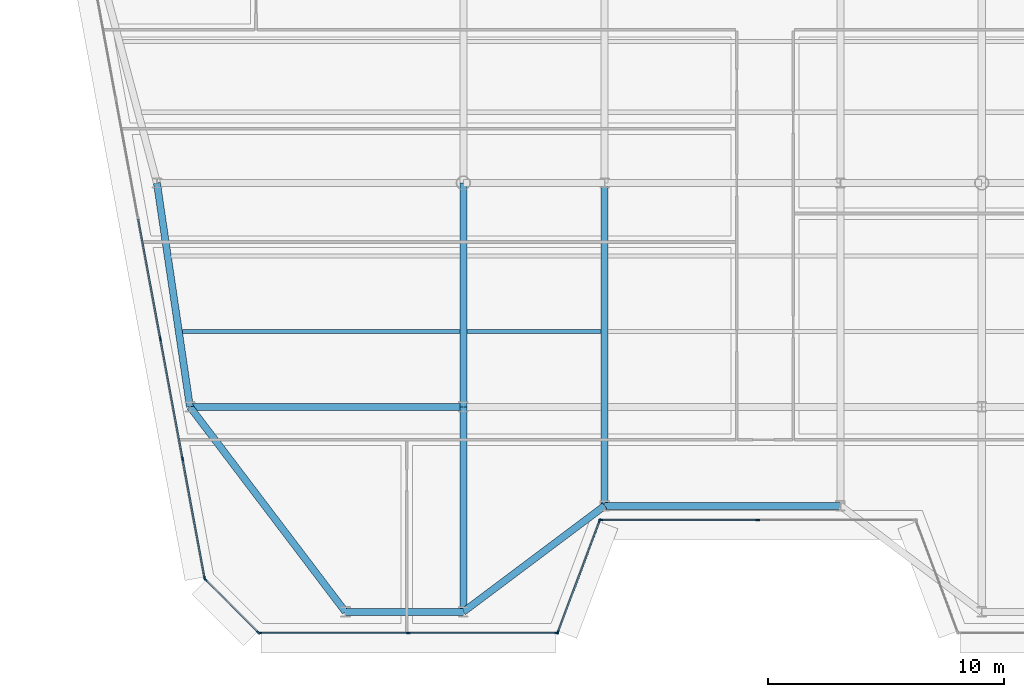
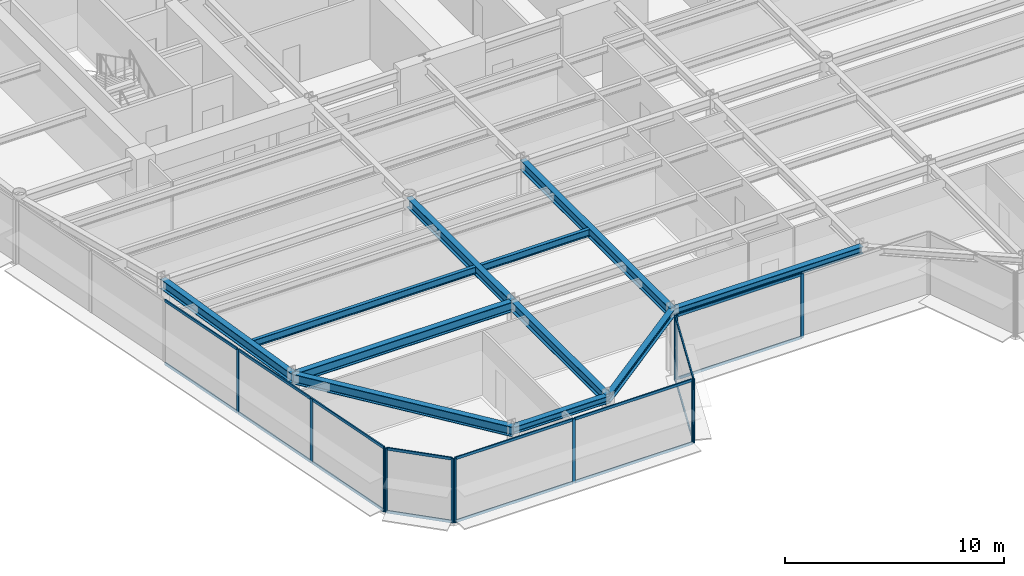
# One storey, part 2 of 17: 28 members, 11 beams, 5 elements without a shape of their own.
"""IFC4 building model written with IfcOpenShell, lengths in metres."""

from ifc_helpers import new_model, si_unit, direction, frame, origin, origin_2d, place, context, subcontext, project, spatial, rectangle, i_section, extrude, source, transform, mapped, material, layer, layer_set, material_profile, profile_set, type_object, element, aggregate, save


model = new_model("IFC4")

# Units and contexts
model_context = context("Model", 3, precision=1e-05, world=origin(), true_north=direction((0.0, 1.0)))
body_context = subcontext(model_context, "Body", "Model", "MODEL_VIEW")
ifc_project = project(units=[si_unit("LENGTHUNIT", "METRE"), si_unit("AREAUNIT", "SQUARE_METRE"), si_unit("VOLUMEUNIT", "CUBIC_METRE"), si_unit("PLANEANGLEUNIT", "RADIAN"), si_unit("MASSUNIT", "GRAM", prefix="KILO")], contexts=[model_context])

# Site, building, storey
site_placement = place(None, origin())
site = spatial("IfcSite", under=ifc_project, at=site_placement, CompositionType="ELEMENT")
building_placement = place(site_placement, origin())
building = spatial("IfcBuilding", under=site, at=building_placement, Name="Vaeldorn Concourse Tower", CompositionType="ELEMENT")
storey_placement = place(building_placement, frame((0.0, 0.0, 230.800048828125)))
storey = spatial("IfcBuildingStorey", under=building, at=storey_placement, Name="L59", CompositionType="ELEMENT", Elevation=230.800048828125)

# Beams
ifc_material_1 = material(Name="Steel S355", Category="steel")
ifc_material_profile_1 = material_profile(ifc_material_1, i_section(OverallWidth=0.300048828125, OverallDepth=0.39990234375, WebThickness=0.013427734375, FlangeThickness=0.02392578125, FilletRadius=0.027099609375, at=origin_2d()), Name="HEB 400")
ifc_profile_set_1 = profile_set([ifc_material_profile_1], Name="Steel S355")
beam_type_1 = type_object("IfcBeamType", Name="BM-SP-HEB400", PredefinedType="SPANDREL", material=ifc_profile_set_1)
shared_shape_1 = source(origin(), body_context, "Body", "SweptSolid", [
    extrude(i_section(OverallWidth=0.300048828125, OverallDepth=0.39990234375, WebThickness=0.013427734375, FlangeThickness=0.02392578125, FilletRadius=0.027099609375, at=origin_2d()), origin(), (0.0, 0.0, 1.0), 5.0),
])
beam_1_placement = place(storey_placement, frame((18.0, 9.300048828125, 3.3798828125), z_axis=(1.0, 0.0, 0.0), x_axis=(0.0, 1.0, 0.0)))
element("IfcBeam", 1, at=beam_1_placement, inside=storey, type_object=beam_type_1, Name="Beam BM-L59-C-SF1-C-SF2", PredefinedType="SPANDREL", context=body_context, shape_type="MappedRepresentation", body=[
    mapped(shared_shape_1, transform((0.0, 0.0, 0.0), scale=1.0)),
])
shared_shape_2 = source(origin(), body_context, "Body", "SweptSolid", [
    extrude(i_section(OverallWidth=0.300048828125, OverallDepth=0.39990234375, WebThickness=0.013427734375, FlangeThickness=0.02392578125, FilletRadius=0.027099609375, at=origin_2d()), origin(), (0.0, 0.0, 1.0), 7.5),
])
beam_2_placement = place(storey_placement, frame((23.0, 9.300048828125, 3.3798828125), z_axis=(0.8, 0.6, 0.0), x_axis=(-0.6, 0.8, 0.0)))
element("IfcBeam", 2, at=beam_2_placement, inside=storey, type_object=beam_type_1, Name="Beam BM-L59-C-SF2-C-SF3", PredefinedType="SPANDREL", context=body_context, shape_type="MappedRepresentation", body=[
    mapped(shared_shape_2, transform((0.0, 0.0, 0.0), scale=1.0)),
])
shared_shape_3 = source(origin(), body_context, "Body", "SweptSolid", [
    extrude(i_section(OverallWidth=0.300048828125, OverallDepth=0.39990234375, WebThickness=0.013427734375, FlangeThickness=0.02392578125, FilletRadius=0.027099609375, at=origin_2d()), origin(), (0.0, 0.0, 1.0), 10.0),
])
beam_3_placement = place(storey_placement, frame((29.0, 13.800048828125, 3.3798828125), z_axis=(1.0, 0.0, 0.0), x_axis=(0.0, 1.0, 0.0)))
element("IfcBeam", 3, at=beam_3_placement, inside=storey, type_object=beam_type_1, Name="Beam BM-L59-C-SF3-C-SF4", PredefinedType="SPANDREL", context=body_context, shape_type="MappedRepresentation", body=[
    mapped(shared_shape_3, transform((0.0, 0.0, 0.0), scale=1.0)),
])
ifc_material_profile_2 = material_profile(ifc_material_1, i_section(OverallWidth=0.179931640625, OverallDepth=0.39990234375, WebThickness=0.008544921875, FlangeThickness=0.013427734375, FilletRadius=0.02099609375, at=origin_2d()), Name="IPE 400")
ifc_profile_set_2 = profile_set([ifc_material_profile_2], Name="Steel S355")
beam_type_2 = type_object("IfcBeamType", Name="BM-JS-IPE400", PredefinedType="JOIST", material=ifc_profile_set_2)
shared_shape_4 = source(origin(), body_context, "Body", "SweptSolid", [
    extrude(i_section(OverallWidth=0.179931640625, OverallDepth=0.39990234375, WebThickness=0.008544921875, FlangeThickness=0.013427734375, FilletRadius=0.02099609375, at=origin_2d()), origin(), (0.0, 0.0, 1.0), 5.7001953125),
])
beam_4_placement = place(storey_placement, frame((23.14990234375, 21.199951171875, 3.3798828125), z_axis=(1.0, 0.0, 0.0), x_axis=(0.0, 1.0, 0.0)))
element("IfcBeam", 4, at=beam_4_placement, inside=storey, type_object=beam_type_2, Name="Beam JS-L59-W2-212", PredefinedType="JOIST", context=body_context, shape_type="MappedRepresentation", body=[
    mapped(shared_shape_4, transform((0.0, 0.0, 0.0), scale=1.0)),
])
shared_shape_5 = source(origin(), body_context, "Body", "SweptSolid", [
    extrude(i_section(OverallWidth=0.179931640625, OverallDepth=0.39990234375, WebThickness=0.008544921875, FlangeThickness=0.013427734375, FilletRadius=0.02099609375, at=origin_2d()), origin(), (0.0, 0.0, 1.0), 11.771728515625),
])
beam_5_placement = place(storey_placement, frame((11.078369140625, 21.199951171875, 3.3798828125), z_axis=(1.0, 0.0, 0.0), x_axis=(0.0, 1.0, 0.0)))
element("IfcBeam", 5, at=beam_5_placement, inside=storey, type_object=beam_type_2, Name="Beam JS-L59-W1-212", PredefinedType="JOIST", context=body_context, shape_type="MappedRepresentation", body=[
    mapped(shared_shape_5, transform((0.0, 0.0, 0.0), scale=1.0)),
])
ifc_material_profile_3 = material_profile(ifc_material_1, i_section(OverallWidth=0.300048828125, OverallDepth=0.550048828125, WebThickness=0.014892578125, FlangeThickness=0.029052734375, FilletRadius=0.027099609375, at=origin_2d()), Name="HEB 550")
ifc_profile_set_3 = profile_set([ifc_material_profile_3], Name="Steel S355")
beam_type_3 = type_object("IfcBeamType", Name="BM-PG-HEB550", PredefinedType="BEAM", material=ifc_profile_set_3)
shared_shape_6 = source(origin(), body_context, "Body", "SweptSolid", [
    extrude(i_section(OverallWidth=0.300048828125, OverallDepth=0.550048828125, WebThickness=0.014892578125, FlangeThickness=0.029052734375, FilletRadius=0.027099609375, at=origin_2d()), origin(), (0.0, 0.0, 1.0), 9.6025390625),
])
beam_6_placement = place(storey_placement, frame((10.0, 27.5, 3.304931640625), z_axis=(0.145783835977, -0.989316467652, 0.0), x_axis=(0.989316467652, 0.145783835977, 0.0)))
element("IfcBeam", 6, at=beam_6_placement, inside=storey, type_object=beam_type_3, Name="Beam BM-L59-C-FLW1-C-FLW2", PredefinedType="BEAM", context=body_context, shape_type="MappedRepresentation", body=[
    mapped(shared_shape_6, transform((0.0, 0.0, 0.0), scale=1.0)),
])
shared_shape_7 = source(origin(), body_context, "Body", "SweptSolid", [
    extrude(i_section(OverallWidth=0.300048828125, OverallDepth=0.550048828125, WebThickness=0.014892578125, FlangeThickness=0.029052734375, FilletRadius=0.027099609375, at=origin_2d()), origin(), (0.0, 0.0, 1.0), 11.60009765625),
])
beam_7_placement = place(storey_placement, frame((11.39990234375, 18.0, 3.304931640625), z_axis=(1.0, 0.0, 0.0), x_axis=(0.0, 1.0, 0.0)))
element("IfcBeam", 7, at=beam_7_placement, inside=storey, type_object=beam_type_3, Name="Beam BM-L59-C-FLW2-C-TW5", PredefinedType="BEAM", context=body_context, shape_type="MappedRepresentation", body=[
    mapped(shared_shape_7, transform((0.0, 0.0, 0.0), scale=1.0)),
])
shared_shape_8 = source(origin(), body_context, "Body", "SweptSolid", [
    extrude(i_section(OverallWidth=0.300048828125, OverallDepth=0.550048828125, WebThickness=0.014892578125, FlangeThickness=0.029052734375, FilletRadius=0.027099609375, at=origin_2d()), origin(), (0.0, 0.0, 1.0), 9.5),
])
beam_8_placement = place(storey_placement, frame((23.0, 18.0, 3.304931640625), z_axis=(0.0, 1.0, 0.0), x_axis=(-1.0, 0.0, 0.0)))
element("IfcBeam", 8, at=beam_8_placement, inside=storey, type_object=beam_type_3, Name="Beam BM-L59-C-TW5-C-TW1", PredefinedType="BEAM", context=body_context, shape_type="MappedRepresentation", body=[
    mapped(shared_shape_8, transform((0.0, 0.0, 0.0), scale=1.0)),
])
shared_shape_9 = source(origin(), body_context, "Body", "SweptSolid", [
    extrude(i_section(OverallWidth=0.300048828125, OverallDepth=0.550048828125, WebThickness=0.014892578125, FlangeThickness=0.029052734375, FilletRadius=0.027099609375, at=origin_2d()), origin(), (0.0, 0.0, 1.0), 10.920166015625),
])
beam_9_placement = place(storey_placement, frame((18.0, 9.300048828125, 3.304931640625), z_axis=(-0.604394310451, 0.796685331542, 0.0), x_axis=(-0.796685331542, -0.604394310451, 0.0)))
element("IfcBeam", 9, at=beam_9_placement, inside=storey, type_object=beam_type_3, Name="Beam BM-L59-C-SF1-C-FLW2", PredefinedType="BEAM", context=body_context, shape_type="MappedRepresentation", body=[
    mapped(shared_shape_9, transform((0.0, 0.0, 0.0), scale=1.0)),
])
shared_shape_10 = source(origin(), body_context, "Body", "SweptSolid", [
    extrude(i_section(OverallWidth=0.300048828125, OverallDepth=0.550048828125, WebThickness=0.014892578125, FlangeThickness=0.029052734375, FilletRadius=0.027099609375, at=origin_2d()), origin(), (0.0, 0.0, 1.0), 8.699951171875),
])
beam_10_placement = place(storey_placement, frame((23.0, 9.300048828125, 3.304931640625), z_axis=(0.0, 1.0, 0.0), x_axis=(-1.0, 0.0, 0.0)))
element("IfcBeam", 10, at=beam_10_placement, inside=storey, type_object=beam_type_3, Name="Beam BM-L59-C-SF2-C-TW5", PredefinedType="BEAM", context=body_context, shape_type="MappedRepresentation", body=[
    mapped(shared_shape_10, transform((0.0, 0.0, 0.0), scale=1.0)),
])
shared_shape_11 = source(origin(), body_context, "Body", "SweptSolid", [
    extrude(i_section(OverallWidth=0.300048828125, OverallDepth=0.550048828125, WebThickness=0.014892578125, FlangeThickness=0.029052734375, FilletRadius=0.027099609375, at=origin_2d()), origin(), (0.0, 0.0, 1.0), 13.699951171875),
])
beam_11_placement = place(storey_placement, frame((29.0, 13.800048828125, 3.304931640625), z_axis=(0.0, 1.0, 0.0), x_axis=(-1.0, 0.0, 0.0)))
element("IfcBeam", 11, at=beam_11_placement, inside=storey, type_object=beam_type_3, Name="Beam BM-L59-C-SF3-C-TW2", PredefinedType="BEAM", context=body_context, shape_type="MappedRepresentation", body=[
    mapped(shared_shape_11, transform((0.0, 0.0, 0.0), scale=1.0)),
])

# Curtain wall, members
ifc_material_2 = material(Name="Anodised Bronze Aluminium", Category="aluminium")
ifc_layer = layer(ifc_material_2, 0.179931640625)
ifc_layer_set = layer_set([ifc_layer], Name="Anodised Bronze Aluminium")
curtain_wall_type = type_object("IfcCurtainWallType", Name="CW-SYS-05", PredefinedType="NOTDEFINED", material=ifc_layer_set)
curtain_wall_1_placement = place(storey_placement, origin())
curtain_wall_1 = element("IfcCurtainWall", 12, at=curtain_wall_1_placement, inside=storey, type_object=curtain_wall_type, Name="Unitised Curtain Wall CW-L59-E01-1", PredefinedType="NOTDEFINED")
ifc_material_profile_4 = material_profile(ifc_material_2, rectangle(XDim=0.06494140625, YDim=0.169921875, at=origin_2d()), Name="CWM 65x170")
ifc_profile_set_4 = profile_set([ifc_material_profile_4], Name="Anodised Bronze Aluminium")
member_type_1 = type_object("IfcMemberType", Name="CWM-BRONZE-170", PredefinedType="MULLION", material=ifc_profile_set_4)
shared_shape_12 = source(origin(), body_context, "Body", "SweptSolid", [
    extrude(rectangle(XDim=0.06494140625, YDim=0.169921875, at=origin_2d()), origin(), (0.0, 0.0, 1.0), 3.579833984375),
])
member_1_placement = place(storey_placement, frame((14.361572265625, 8.39990234375, 0.0), z_axis=(0.0, 0.0, 1.0), x_axis=(0.0, 1.0, 0.0)))
member_1 = element("IfcMember", 13, at=member_1_placement, type_object=member_type_1, Name="CW-05 mullion 1", PredefinedType="MULLION", context=body_context, shape_type="MappedRepresentation", body=[
    mapped(shared_shape_12, transform((0.0, 0.0, 0.0), scale=1.0)),
])
member_2_placement = place(storey_placement, frame((20.66455078125, 8.39990234375, 0.0), z_axis=(0.0, 0.0, 1.0), x_axis=(0.0, 1.0, 0.0)))
member_2 = element("IfcMember", 14, at=member_2_placement, type_object=member_type_1, Name="CW-05 mullion 2", PredefinedType="MULLION", context=body_context, shape_type="MappedRepresentation", body=[
    mapped(shared_shape_12, transform((0.0, 0.0, 0.0), scale=1.0)),
])
member_3_placement = place(storey_placement, frame((26.967529296875, 8.39990234375, 0.0), z_axis=(0.0, 0.0, 1.0), x_axis=(0.0, 1.0, 0.0)))
member_3 = element("IfcMember", 15, at=member_3_placement, type_object=member_type_1, Name="CW-05 mullion 3", PredefinedType="MULLION", context=body_context, shape_type="MappedRepresentation", body=[
    mapped(shared_shape_12, transform((0.0, 0.0, 0.0), scale=1.0)),
])

curtain_wall_2_placement = place(storey_placement, origin())
curtain_wall_2 = element("IfcCurtainWall", 16, at=curtain_wall_2_placement, inside=storey, type_object=curtain_wall_type, Name="Unitised Curtain Wall CW-L59-E02-1", PredefinedType="NOTDEFINED")
member_4_placement = place(storey_placement, frame((27.011474609375, 8.430419921875, 0.0), z_axis=(0.0, 0.0, 1.0), x_axis=(-0.936329177566, 0.351123441595, 0.0)))
member_4 = element("IfcMember", 17, at=member_4_placement, type_object=member_type_1, Name="CW-05 mullion 1", PredefinedType="MULLION", context=body_context, shape_type="MappedRepresentation", body=[
    mapped(shared_shape_12, transform((0.0, 0.0, 0.0), scale=1.0)),
])
member_5_placement = place(storey_placement, frame((28.78857421875, 13.169677734375, 0.0), z_axis=(0.0, 0.0, 1.0), x_axis=(-0.936329177566, 0.351123441595, 0.0)))
member_5 = element("IfcMember", 18, at=member_5_placement, type_object=member_type_1, Name="CW-05 mullion 2", PredefinedType="MULLION", context=body_context, shape_type="MappedRepresentation", body=[
    mapped(shared_shape_12, transform((0.0, 0.0, 0.0), scale=1.0)),
])

curtain_wall_3_placement = place(storey_placement, origin())
curtain_wall_3 = element("IfcCurtainWall", 19, at=curtain_wall_3_placement, inside=storey, type_object=curtain_wall_type, Name="Unitised Curtain Wall CW-L59-E03-1", PredefinedType="NOTDEFINED")
member_6_placement = place(storey_placement, frame((28.83251953125, 13.199951171875, 0.0), z_axis=(0.0, 0.0, 1.0), x_axis=(0.0, 1.0, 0.0)))
member_6 = element("IfcMember", 20, at=member_6_placement, type_object=member_type_1, Name="CW-05 mullion 1", PredefinedType="MULLION", context=body_context, shape_type="MappedRepresentation", body=[
    mapped(shared_shape_12, transform((0.0, 0.0, 0.0), scale=1.0)),
])
member_7_placement = place(storey_placement, frame((35.5, 13.199951171875, 0.0), z_axis=(0.0, 0.0, 1.0), x_axis=(0.0, 1.0, 0.0)))
member_7 = element("IfcMember", 21, at=member_7_placement, type_object=member_type_1, Name="CW-05 mullion 2", PredefinedType="MULLION", context=body_context, shape_type="MappedRepresentation", body=[
    mapped(shared_shape_12, transform((0.0, 0.0, 0.0), scale=1.0)),
])

curtain_wall_4_placement = place(storey_placement, origin())
curtain_wall_4 = element("IfcCurtainWall", 22, at=curtain_wall_4_placement, inside=storey, type_object=curtain_wall_type, Name="Unitised Curtain Wall CW-L59-E11-2", PredefinedType="NOTDEFINED")
member_8_placement = place(storey_placement, frame((10.143310546875, 20.89404296875, 0.0), z_axis=(0.0, 0.0, 1.0), x_axis=(0.98331890588, 0.181889882456, 0.0)))
member_8 = element("IfcMember", 23, at=member_8_placement, type_object=member_type_1, Name="CW-05 mullion 4", PredefinedType="MULLION", context=body_context, shape_type="MappedRepresentation", body=[
    mapped(shared_shape_12, transform((0.0, 0.0, 0.0), scale=1.0)),
])
member_9_placement = place(storey_placement, frame((11.086181640625, 15.797119140625, 0.0), z_axis=(0.0, 0.0, 1.0), x_axis=(0.98331890588, 0.181889882456, 0.0)))
member_9 = element("IfcMember", 24, at=member_9_placement, type_object=member_type_1, Name="CW-05 mullion 5", PredefinedType="MULLION", context=body_context, shape_type="MappedRepresentation", body=[
    mapped(shared_shape_12, transform((0.0, 0.0, 0.0), scale=1.0)),
])
member_10_placement = place(storey_placement, frame((12.023193359375, 10.73193359375, 0.0), z_axis=(0.0, 0.0, 1.0), x_axis=(0.98331890588, 0.181889882456, 0.0)))
member_10 = element("IfcMember", 25, at=member_10_placement, type_object=member_type_1, Name="CW-05 mullion 6", PredefinedType="MULLION", context=body_context, shape_type="MappedRepresentation", body=[
    mapped(shared_shape_12, transform((0.0, 0.0, 0.0), scale=1.0)),
])

curtain_wall_5_placement = place(storey_placement, origin())
curtain_wall_5 = element("IfcCurtainWall", 26, at=curtain_wall_5_placement, inside=storey, type_object=curtain_wall_type, Name="Unitised Curtain Wall CW-L59-E12-1", PredefinedType="NOTDEFINED")
member_11_placement = place(storey_placement, frame((12.052001953125, 10.677001953125, 0.0), z_axis=(0.0, 0.0, 1.0), x_axis=(0.707106781187, 0.707106781187, 0.0)))
member_11 = element("IfcMember", 27, at=member_11_placement, type_object=member_type_1, Name="CW-05 mullion 1", PredefinedType="MULLION", context=body_context, shape_type="MappedRepresentation", body=[
    mapped(shared_shape_12, transform((0.0, 0.0, 0.0), scale=1.0)),
])
member_12_placement = place(storey_placement, frame((14.305908203125, 8.423095703125, 0.0), z_axis=(0.0, 0.0, 1.0), x_axis=(0.707106781187, 0.707106781187, 0.0)))
member_12 = element("IfcMember", 28, at=member_12_placement, type_object=member_type_1, Name="CW-05 mullion 2", PredefinedType="MULLION", context=body_context, shape_type="MappedRepresentation", body=[
    mapped(shared_shape_12, transform((0.0, 0.0, 0.0), scale=1.0)),
])

# Member
ifc_material_profile_5 = material_profile(ifc_material_2, rectangle(XDim=0.06494140625, YDim=0.14990234375, at=origin_2d()), Name="CWT 65x150")
ifc_profile_set_5 = profile_set([ifc_material_profile_5], Name="Anodised Bronze Aluminium")
member_type_2 = type_object("IfcMemberType", Name="CWT-BRONZE-150", PredefinedType="USERDEFINED", material=ifc_profile_set_5)
shared_shape_13 = source(origin(), body_context, "Body", "SweptSolid", [
    extrude(rectangle(XDim=0.06494140625, YDim=0.14990234375, at=origin_2d()), origin(), (0.0, 0.0, 1.0), 4.996337890625),
])
member_13_placement = place(storey_placement, frame((27.022705078125, 8.4609375, 0.032470703125), z_axis=(0.351134151405, 0.936325161318, 0.0), x_axis=(-0.936325161318, 0.351134151405, 0.0)))
member_13 = element("IfcMember", 29, at=member_13_placement, type_object=member_type_2, Name="CW-05 transom 1.1", ObjectType="TRANSOM", PredefinedType="USERDEFINED", context=body_context, shape_type="MappedRepresentation", body=[
    mapped(shared_shape_13, transform((0.0, 0.0, 0.0), scale=1.0)),
])

member_14_placement = place(storey_placement, frame((27.022705078125, 8.4609375, 3.54736328125), z_axis=(0.351134151405, 0.936325161318, 0.0), x_axis=(-0.936325161318, 0.351134151405, 0.0)))
member_14 = element("IfcMember", 30, at=member_14_placement, type_object=member_type_2, Name="CW-05 transom 1.2", ObjectType="TRANSOM", PredefinedType="USERDEFINED", context=body_context, shape_type="MappedRepresentation", body=[
    mapped(shared_shape_13, transform((0.0, 0.0, 0.0), scale=1.0)),
])

aggregate(curtain_wall_2, [member_4, member_5, member_13, member_14])

shared_shape_14 = source(origin(), body_context, "Body", "SweptSolid", [
    extrude(rectangle(XDim=0.06494140625, YDim=0.14990234375, at=origin_2d()), origin(), (0.0, 0.0, 1.0), 6.6025390625),
])
member_15_placement = place(storey_placement, frame((28.864990234375, 13.199951171875, 0.032470703125), z_axis=(1.0, 0.0, 0.0), x_axis=(0.0, 1.0, 0.0)))
member_15 = element("IfcMember", 31, at=member_15_placement, type_object=member_type_2, Name="CW-05 transom 1.1", ObjectType="TRANSOM", PredefinedType="USERDEFINED", context=body_context, shape_type="MappedRepresentation", body=[
    mapped(shared_shape_14, transform((0.0, 0.0, 0.0), scale=1.0)),
])

member_16_placement = place(storey_placement, frame((28.864990234375, 13.199951171875, 3.54736328125), z_axis=(1.0, 0.0, 0.0), x_axis=(0.0, 1.0, 0.0)))
member_16 = element("IfcMember", 32, at=member_16_placement, type_object=member_type_2, Name="CW-05 transom 1.2", ObjectType="TRANSOM", PredefinedType="USERDEFINED", context=body_context, shape_type="MappedRepresentation", body=[
    mapped(shared_shape_14, transform((0.0, 0.0, 0.0), scale=1.0)),
])

aggregate(curtain_wall_3, [member_6, member_7, member_15, member_16])

shared_shape_15 = source(origin(), body_context, "Body", "SweptSolid", [
    extrude(rectangle(XDim=0.06494140625, YDim=0.14990234375, at=origin_2d()), origin(), (0.0, 0.0, 1.0), 3.12255859375),
])
member_17_placement = place(storey_placement, frame((12.074951171875, 10.654052734375, 0.032470703125), z_axis=(0.707106781187, -0.707106781187, 0.0), x_axis=(0.707106781187, 0.707106781187, 0.0)))
member_17 = element("IfcMember", 33, at=member_17_placement, type_object=member_type_2, Name="CW-05 transom 1.1", ObjectType="TRANSOM", PredefinedType="USERDEFINED", context=body_context, shape_type="MappedRepresentation", body=[
    mapped(shared_shape_15, transform((0.0, 0.0, 0.0), scale=1.0)),
])

member_18_placement = place(storey_placement, frame((12.074951171875, 10.654052734375, 3.54736328125), z_axis=(0.707106781187, -0.707106781187, 0.0), x_axis=(0.707106781187, 0.707106781187, 0.0)))
member_18 = element("IfcMember", 34, at=member_18_placement, type_object=member_type_2, Name="CW-05 transom 1.2", ObjectType="TRANSOM", PredefinedType="USERDEFINED", context=body_context, shape_type="MappedRepresentation", body=[
    mapped(shared_shape_15, transform((0.0, 0.0, 0.0), scale=1.0)),
])

aggregate(curtain_wall_5, [member_11, member_12, member_17, member_18])

shared_shape_16 = source(origin(), body_context, "Body", "SweptSolid", [
    extrude(rectangle(XDim=0.06494140625, YDim=0.14990234375, at=origin_2d()), origin(), (0.0, 0.0, 1.0), 6.238037109375),
])
member_19_placement = place(storey_placement, frame((14.39404296875, 8.39990234375, 0.032470703125), z_axis=(1.0, 0.0, 0.0), x_axis=(0.0, 1.0, 0.0)))
member_19 = element("IfcMember", 35, at=member_19_placement, type_object=member_type_2, Name="CW-05 transom 1.1", ObjectType="TRANSOM", PredefinedType="USERDEFINED", context=body_context, shape_type="MappedRepresentation", body=[
    mapped(shared_shape_16, transform((0.0, 0.0, 0.0), scale=1.0)),
])

member_20_placement = place(storey_placement, frame((14.39404296875, 8.39990234375, 3.54736328125), z_axis=(1.0, 0.0, 0.0), x_axis=(0.0, 1.0, 0.0)))
member_20 = element("IfcMember", 36, at=member_20_placement, type_object=member_type_2, Name="CW-05 transom 1.2", ObjectType="TRANSOM", PredefinedType="USERDEFINED", context=body_context, shape_type="MappedRepresentation", body=[
    mapped(shared_shape_16, transform((0.0, 0.0, 0.0), scale=1.0)),
])

member_21_placement = place(storey_placement, frame((20.697021484375, 8.39990234375, 0.032470703125), z_axis=(1.0, 0.0, 0.0), x_axis=(0.0, 1.0, 0.0)))
member_21 = element("IfcMember", 37, at=member_21_placement, type_object=member_type_2, Name="CW-05 transom 2.1", ObjectType="TRANSOM", PredefinedType="USERDEFINED", context=body_context, shape_type="MappedRepresentation", body=[
    mapped(shared_shape_16, transform((0.0, 0.0, 0.0), scale=1.0)),
])

member_22_placement = place(storey_placement, frame((20.697021484375, 8.39990234375, 3.54736328125), z_axis=(1.0, 0.0, 0.0), x_axis=(0.0, 1.0, 0.0)))
member_22 = element("IfcMember", 38, at=member_22_placement, type_object=member_type_2, Name="CW-05 transom 2.2", ObjectType="TRANSOM", PredefinedType="USERDEFINED", context=body_context, shape_type="MappedRepresentation", body=[
    mapped(shared_shape_16, transform((0.0, 0.0, 0.0), scale=1.0)),
])

aggregate(curtain_wall_1, [member_1, member_2, member_3, member_19, member_20, member_21, member_22])

shared_shape_17 = source(origin(), body_context, "Body", "SweptSolid", [
    extrude(rectangle(XDim=0.06494140625, YDim=0.14990234375, at=origin_2d()), origin(), (0.0, 0.0, 1.0), 5.0859375),
])
member_23_placement = place(storey_placement, frame((11.092041015625, 15.76513671875, 0.032470703125), z_axis=(0.181879549724, -0.983320817125, 0.0), x_axis=(0.983320817125, 0.181879549724, 0.0)))
member_23 = element("IfcMember", 39, at=member_23_placement, type_object=member_type_2, Name="CW-05 transom 5.1", ObjectType="TRANSOM", PredefinedType="USERDEFINED", context=body_context, shape_type="MappedRepresentation", body=[
    mapped(shared_shape_17, transform((0.0, 0.0, 0.0), scale=1.0)),
])

member_24_placement = place(storey_placement, frame((11.092041015625, 15.76513671875, 3.54736328125), z_axis=(0.181879549724, -0.983320817125, 0.0), x_axis=(0.983320817125, 0.181879549724, 0.0)))
member_24 = element("IfcMember", 40, at=member_24_placement, type_object=member_type_2, Name="CW-05 transom 5.2", ObjectType="TRANSOM", PredefinedType="USERDEFINED", context=body_context, shape_type="MappedRepresentation", body=[
    mapped(shared_shape_17, transform((0.0, 0.0, 0.0), scale=1.0)),
])

shared_shape_18 = source(origin(), body_context, "Body", "SweptSolid", [
    extrude(rectangle(XDim=0.06494140625, YDim=0.14990234375, at=origin_2d()), origin(), (0.0, 0.0, 1.0), 5.11865234375),
])
member_25_placement = place(storey_placement, frame((10.149169921875, 20.862060546875, 0.032470703125), z_axis=(0.181915044341, -0.983314251215, 0.0), x_axis=(0.983314251215, 0.181915044341, 0.0)))
member_25 = element("IfcMember", 41, at=member_25_placement, type_object=member_type_2, Name="CW-05 transom 4.1", ObjectType="TRANSOM", PredefinedType="USERDEFINED", context=body_context, shape_type="MappedRepresentation", body=[
    mapped(shared_shape_18, transform((0.0, 0.0, 0.0), scale=1.0)),
])

member_26_placement = place(storey_placement, frame((10.149169921875, 20.862060546875, 3.54736328125), z_axis=(0.181915044341, -0.983314251215, 0.0), x_axis=(0.983314251215, 0.181915044341, 0.0)))
member_26 = element("IfcMember", 42, at=member_26_placement, type_object=member_type_2, Name="CW-05 transom 4.2", ObjectType="TRANSOM", PredefinedType="USERDEFINED", context=body_context, shape_type="MappedRepresentation", body=[
    mapped(shared_shape_18, transform((0.0, 0.0, 0.0), scale=1.0)),
])

shared_shape_19 = source(origin(), body_context, "Body", "SweptSolid", [
    extrude(rectangle(XDim=0.06494140625, YDim=0.14990234375, at=origin_2d()), origin(), (0.0, 0.0, 1.0), 5.118408203125),
])
member_27_placement = place(storey_placement, frame((9.20654296875, 25.958984375, 0.032470703125), z_axis=(0.181877455854, -0.983321204415, 0.0), x_axis=(0.983321204415, 0.181877455854, 0.0)))
member_27 = element("IfcMember", 43, at=member_27_placement, type_object=member_type_2, Name="CW-05 transom 3.1", ObjectType="TRANSOM", PredefinedType="USERDEFINED", context=body_context, shape_type="MappedRepresentation", body=[
    mapped(shared_shape_19, transform((0.0, 0.0, 0.0), scale=1.0)),
])

member_28_placement = place(storey_placement, frame((9.20654296875, 25.958984375, 3.54736328125), z_axis=(0.181877455854, -0.983321204415, 0.0), x_axis=(0.983321204415, 0.181877455854, 0.0)))
member_28 = element("IfcMember", 44, at=member_28_placement, type_object=member_type_2, Name="CW-05 transom 3.2", ObjectType="TRANSOM", PredefinedType="USERDEFINED", context=body_context, shape_type="MappedRepresentation", body=[
    mapped(shared_shape_19, transform((0.0, 0.0, 0.0), scale=1.0)),
])

aggregate(curtain_wall_4, [member_8, member_9, member_10, member_27, member_28, member_25, member_26, member_23, member_24])

save(model, "model.ifc")
